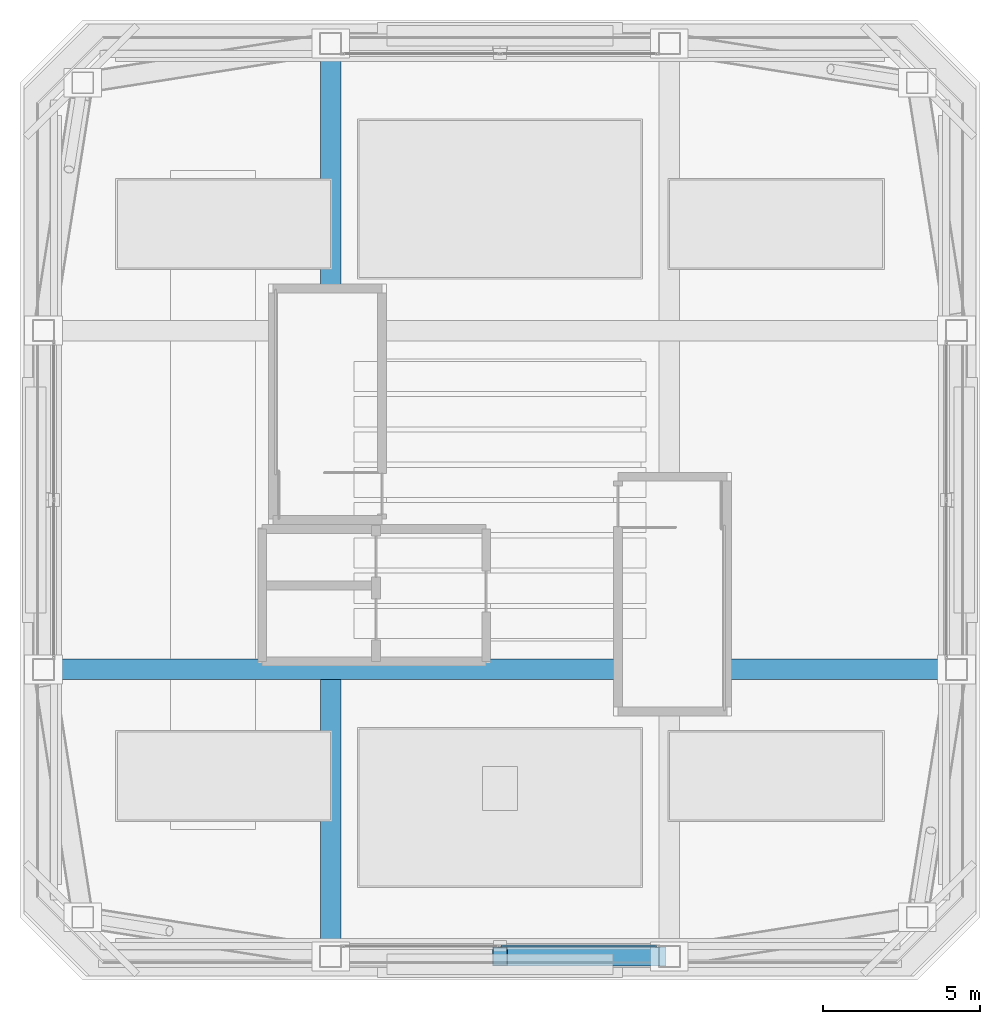
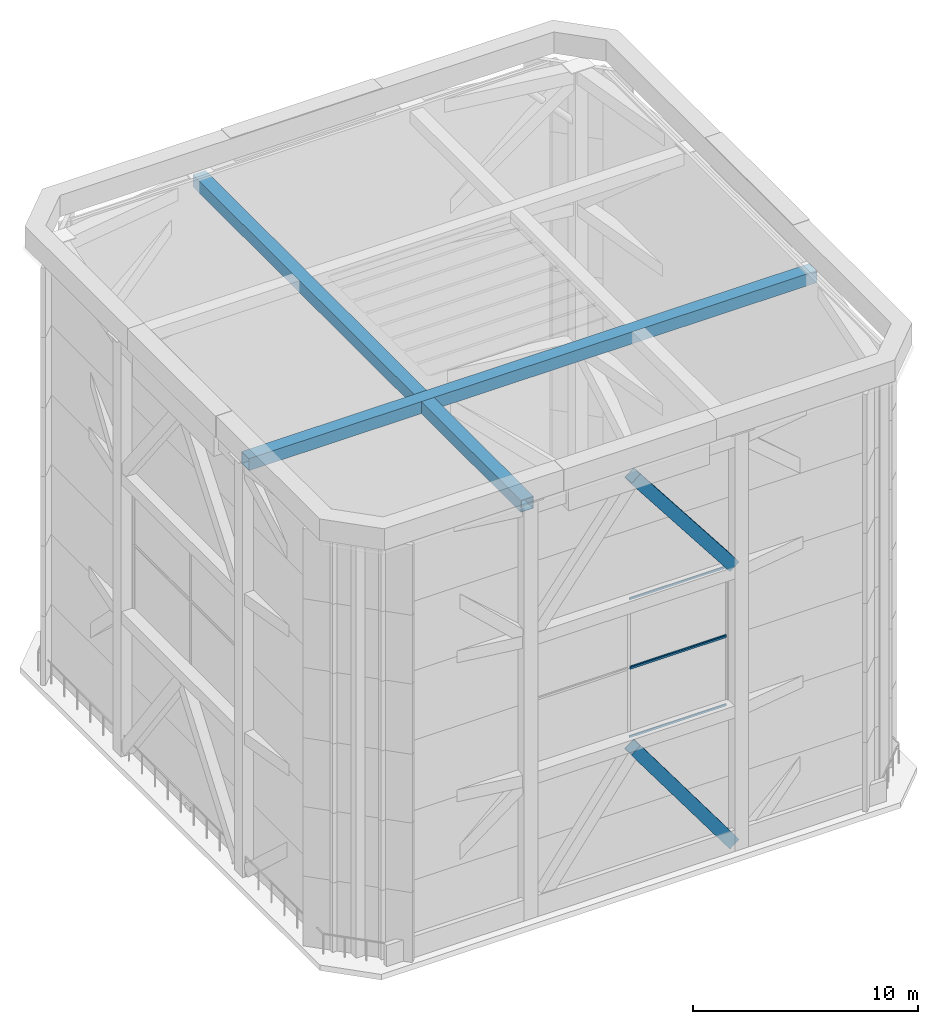
# One storey, part 8 of 28: 6 members, 2 beams, 2 elements without a shape of their own.
"""IFC4 building model written with IfcOpenShell, lengths in metres."""

from ifc_helpers import new_model, si_unit, direction, frame, origin, origin_2d, place, context, subcontext, project, spatial, hollow_rectangle, extrude, material, material_profile, profile_set, type_object, element, aggregate, save


model = new_model("IFC4")

# Units and contexts
model_context = context("Model", 3, precision=1e-05, world=origin(), true_north=direction((0.0, 1.0)))
body_context = subcontext(model_context, "Body", "Model", "MODEL_VIEW")
ifc_project = project(units=[si_unit("LENGTHUNIT", "METRE"), si_unit("AREAUNIT", "SQUARE_METRE"), si_unit("VOLUMEUNIT", "CUBIC_METRE"), si_unit("PLANEANGLEUNIT", "RADIAN"), si_unit("MASSUNIT", "GRAM", prefix="KILO")], contexts=[model_context])

# Site, building, storey
site_placement = place(None, origin())
site = spatial("IfcSite", under=ifc_project, at=site_placement, CompositionType="ELEMENT")
building_placement = place(site_placement, origin())
building = spatial("IfcBuilding", under=site, at=building_placement, Name="Tashvorn Skyway Center", CompositionType="ELEMENT")
storey_placement = place(building_placement, frame((0.0, 0.0, 277.60009765625)))
storey = spatial("IfcBuildingStorey", under=building, at=storey_placement, Name="Roof Level", CompositionType="ELEMENT", Elevation=277.60009765625)

# Beams
ifc_material_1 = material(Name="Steel ASTM A572 Grade 50", Category="steel")
ifc_material_profile_1 = material_profile(ifc_material_1, hollow_rectangle(XDim=0.64990234375, YDim=0.64990234375, WallThickness=0.02490234375, at=origin_2d()), Name="BOX650x650x25")
ifc_profile_set_1 = profile_set([ifc_material_profile_1], Name="Steel ASTM A572 Grade 50")
beam_type = type_object("IfcBeamType", Name="BM-BEAM-BOX650x650x25", PredefinedType="BEAM", material=ifc_profile_set_1)
for number, where, z_axis, x_axis, name in (
    (1, (36.60009765625, 17.449951171875, 22.239990234375), (0.0, 1.0, 0.0), (-1.0, 0.0, 0.0), "CROWN FRAME Tower 1 Cap Support Girder NS1"),
    (2, (27.449951171875, 26.60009765625, 22.239990234375), (1.0, 0.0, 0.0), (0.0, 1.0, 0.0), "CROWN FRAME Tower 1 Cap Support Girder EW1"),
):
    element("IfcBeam", number, at=place(storey_placement, frame(where, z_axis=z_axis, x_axis=x_axis)), inside=storey, type_object=beam_type, Name=name, PredefinedType="BEAM", context=body_context, shape_type="SweptSolid", body=[
        extrude(hollow_rectangle(XDim=0.64990234375, YDim=0.64990234375, WallThickness=0.02490234375, at=origin_2d()), origin(), (0.0, 0.0, 1.0), 29.10009765625),
    ])

# Curtain wall, members
ifc_material_2 = material(Name="Thermally broken bronze-anodized aluminium 6063-T6", Category="aluminium")
curtain_wall_type = type_object("IfcCurtainWallType", Name="CW-CW-SKY", PredefinedType="NOTDEFINED", material=ifc_material_2)
curtain_wall_1_placement = place(storey_placement, origin())
curtain_wall_1 = element("IfcCurtainWall", 3, at=curtain_wall_1_placement, inside=storey, type_object=curtain_wall_type, Name="CROWN Lantern Fritted Curtain Wall T1 S-3", PredefinedType="NOTDEFINED")
ifc_material_profile_2 = material_profile(ifc_material_2, hollow_rectangle(XDim=0.06494140625, YDim=0.10498046875, WallThickness=0.00390625, at=origin_2d()), Name="ALU-TRAN-65x105")
ifc_profile_set_2 = profile_set([ifc_material_profile_2], Name="Thermally broken bronze-anodized aluminium 6063-T6")
member_type_1 = type_object("IfcMemberType", Name="CWT-CW-SKY", PredefinedType="USERDEFINED", material=ifc_profile_set_2)
member_1_placement = place(storey_placement, frame((46.985107421875, 17.780029296875, 7.5625), z_axis=(-1.0, 0.0, 0.0), x_axis=(0.0, -1.0, 0.0)))
member_1 = element("IfcMember", 4, at=member_1_placement, type_object=member_type_1, Name="CW-SKY transom 1.1", ObjectType="TRANSOM", PredefinedType="USERDEFINED", context=body_context, shape_type="SweptSolid", body=[
    extrude(hollow_rectangle(XDim=0.06494140625, YDim=0.10498046875, WallThickness=0.00390625, at=origin_2d()), origin(), (0.0, 0.0, 1.0), 4.95263671875),
])
member_2_placement = place(storey_placement, frame((46.985107421875, 17.780029296875, 11.262451171875), z_axis=(-1.0, 0.0, 0.0), x_axis=(0.0, -1.0, 0.0)))
member_2 = element("IfcMember", 5, at=member_2_placement, type_object=member_type_1, Name="CW-SKY transom 1.2", ObjectType="TRANSOM", PredefinedType="USERDEFINED", context=body_context, shape_type="SweptSolid", body=[
    extrude(hollow_rectangle(XDim=0.06494140625, YDim=0.10498046875, WallThickness=0.00390625, at=origin_2d()), origin(), (0.0, 0.0, 1.0), 4.95263671875),
])
aggregate(curtain_wall_1, [member_1, member_2])

curtain_wall_2_placement = place(storey_placement, origin())
curtain_wall_2 = element("IfcCurtainWall", 6, at=curtain_wall_2_placement, inside=storey, type_object=curtain_wall_type, Name="CROWN Lantern Fritted Curtain Wall T1 S-4", PredefinedType="NOTDEFINED")
member_3_placement = place(storey_placement, frame((46.985107421875, 17.780029296875, 11.327392578125), z_axis=(-1.0, 0.0, 0.0), x_axis=(0.0, -1.0, 0.0)))
member_3 = element("IfcMember", 7, at=member_3_placement, type_object=member_type_1, Name="CW-SKY transom 1.1", ObjectType="TRANSOM", PredefinedType="USERDEFINED", context=body_context, shape_type="SweptSolid", body=[
    extrude(hollow_rectangle(XDim=0.06494140625, YDim=0.10498046875, WallThickness=0.00390625, at=origin_2d()), origin(), (0.0, 0.0, 1.0), 4.95263671875),
])
member_4_placement = place(storey_placement, frame((46.985107421875, 17.780029296875, 15.02734375), z_axis=(-1.0, 0.0, 0.0), x_axis=(0.0, -1.0, 0.0)))
member_4 = element("IfcMember", 8, at=member_4_placement, type_object=member_type_1, Name="CW-SKY transom 1.2", ObjectType="TRANSOM", PredefinedType="USERDEFINED", context=body_context, shape_type="SweptSolid", body=[
    extrude(hollow_rectangle(XDim=0.06494140625, YDim=0.10498046875, WallThickness=0.00390625, at=origin_2d()), origin(), (0.0, 0.0, 1.0), 4.95263671875),
])
aggregate(curtain_wall_2, [member_3, member_4])

# Members
ifc_material_profile_3 = material_profile(ifc_material_1, hollow_rectangle(XDim=0.60009765625, YDim=0.60009765625, WallThickness=0.02490234375, at=origin_2d()), Name="BOX600x600x25")
ifc_profile_set_3 = profile_set([ifc_material_profile_3], Name="Steel ASTM A572 Grade 50")
member_type_2 = type_object("IfcMemberType", Name="MEM-CF-BRC-600", PredefinedType="BRACE", material=ifc_profile_set_3)
member_5_placement = place(storey_placement, frame((47.054931640625, 17.449951171875, 0.349853515625), z_axis=(-0.593207833758, 0.0, 0.805049356231), x_axis=(0.0, -1.0, 0.0)))
element("IfcMember", 9, at=member_5_placement, inside=storey, type_object=member_type_2, Name="CROWN FRAME Tower 1 Tier-1 Chevron Brace 02B", PredefinedType="BRACE", context=body_context, shape_type="SweptSolid", body=[
    extrude(hollow_rectangle(XDim=0.60009765625, YDim=0.60009765625, WallThickness=0.02490234375, at=origin_2d()), origin(), (0.0, 0.0, 1.0), 8.521240234375),
])
member_6_placement = place(storey_placement, frame((47.054931640625, 17.449951171875, 15.3798828125), z_axis=(-0.612716787586, 0.0, 0.790302561182), x_axis=(0.0, -1.0, 0.0)))
element("IfcMember", 10, at=member_6_placement, inside=storey, type_object=member_type_2, Name="CROWN FRAME Tower 1 Tier-3 Chevron Brace 02B", PredefinedType="BRACE", context=body_context, shape_type="SweptSolid", body=[
    extrude(hollow_rectangle(XDim=0.60009765625, YDim=0.60009765625, WallThickness=0.02490234375, at=origin_2d()), origin(), (0.0, 0.0, 1.0), 8.25),
])

save(model, "model.ifc")
